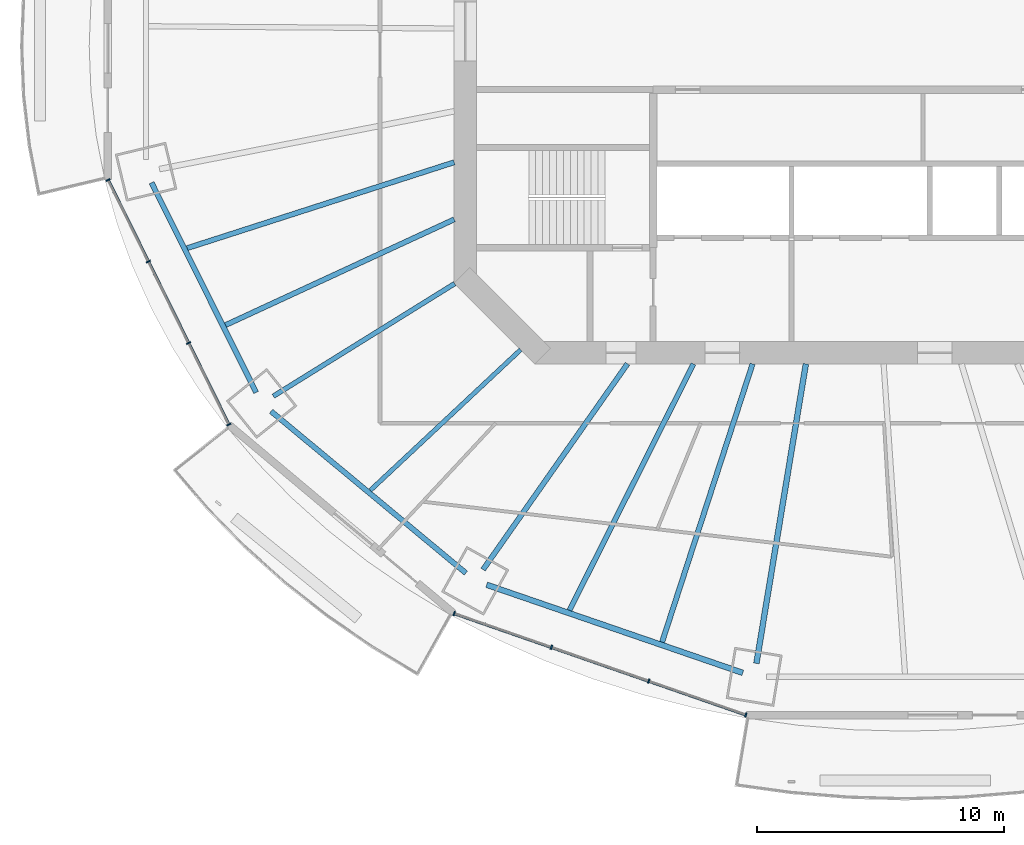
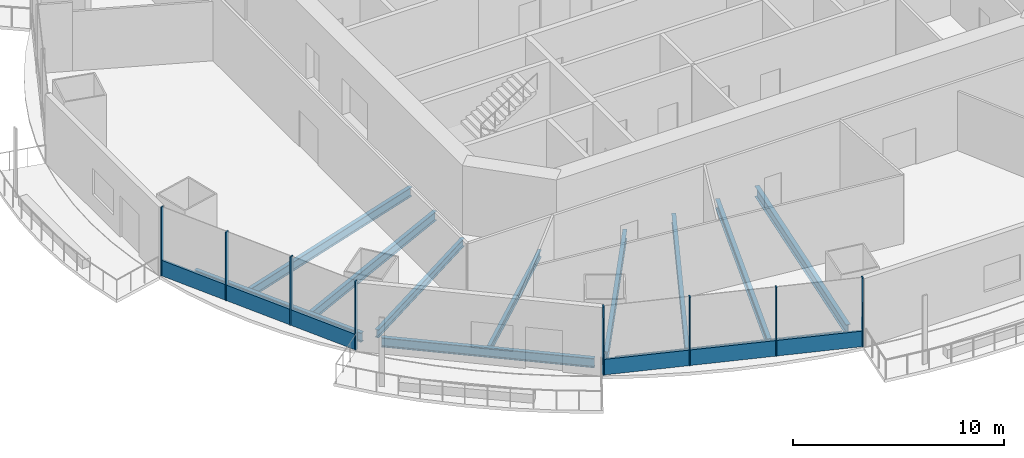
# One storey, part 2 of 21: 11 beams, 10 members, 2 elements without a shape of their own.
"""IFC4 building model written with IfcOpenShell, lengths in metres."""

from ifc_helpers import new_model, si_unit, direction, frame, origin, origin_2d, place, context, subcontext, project, spatial, rectangle, i_section, extrude, material, material_profile, profile_set, type_object, element, aggregate, save


model = new_model("IFC4")

# Units and contexts
model_context = context("Model", 3, precision=1e-05, world=origin(), true_north=direction((0.0, 1.0)))
body_context = subcontext(model_context, "Body", "Model", "MODEL_VIEW")
ifc_project = project(units=[si_unit("LENGTHUNIT", "METRE"), si_unit("AREAUNIT", "SQUARE_METRE"), si_unit("VOLUMEUNIT", "CUBIC_METRE"), si_unit("PLANEANGLEUNIT", "RADIAN"), si_unit("MASSUNIT", "GRAM", prefix="KILO")], contexts=[model_context])

# Site, building, storey
site_placement = place(None, origin())
site = spatial("IfcSite", under=ifc_project, at=site_placement, CompositionType="ELEMENT")
building_placement = place(site_placement, origin())
building = spatial("IfcBuilding", under=site, at=building_placement, Name="Marenthal Gate Tower", CompositionType="ELEMENT")
storey_placement = place(building_placement, frame((0.0, 0.0, 161.050048828125)))
storey = spatial("IfcBuildingStorey", under=building, at=storey_placement, Name="L34", CompositionType="ELEMENT", Elevation=161.050048828125)

# Curtain wall, members
ifc_material_1 = material(Name="Aluminium and glass", Category="aluminium")
curtain_wall_type = type_object("IfcCurtainWallType", Name="Curtain wall typical mid", PredefinedType="NOTDEFINED", material=ifc_material_1)
curtain_wall_1_placement = place(storey_placement, origin())
curtain_wall_1 = element("IfcCurtainWall", 1, at=curtain_wall_1_placement, inside=storey, type_object=curtain_wall_type, Name="Curtain wall L34 bay 9", PredefinedType="NOTDEFINED")
ifc_material_2 = material(Name="Aluminium", Category="aluminium")
ifc_material_profile_1 = material_profile(ifc_material_2, rectangle(XDim=0.179931640625, YDim=0.06005859375, at=origin_2d()), Name="60x180 aluminium mullion")
ifc_profile_set_1 = profile_set([ifc_material_profile_1], Name="Aluminium")
member_type_1 = type_object("IfcMemberType", Name="Mullion 60x180 typical mid", PredefinedType="MULLION", material=ifc_profile_set_1)
member_1_placement = place(storey_placement, frame((-30.45361328125, -6.009765625, 0.0), z_axis=(0.0, 0.0, 1.0), x_axis=(0.896608747182, 0.442823615536, 0.0)))
member_1 = element("IfcMember", 2, at=member_1_placement, type_object=member_type_1, Name="Mullion L34 bay 9.1", PredefinedType="MULLION", context=body_context, shape_type="SweptSolid", body=[
    extrude(rectangle(XDim=0.179931640625, YDim=0.06005859375, at=origin_2d()), origin(), (0.0, 0.0, 1.0), 3.969970703125),
])
member_2_placement = place(storey_placement, frame((-28.824951171875, -9.307373046875, 0.0), z_axis=(0.0, 0.0, 1.0), x_axis=(0.896608747182, 0.442823615536, 0.0)))
member_2 = element("IfcMember", 3, at=member_2_placement, type_object=member_type_1, Name="Mullion L34 bay 9.2", PredefinedType="MULLION", context=body_context, shape_type="SweptSolid", body=[
    extrude(rectangle(XDim=0.179931640625, YDim=0.06005859375, at=origin_2d()), origin(), (0.0, 0.0, 1.0), 3.969970703125),
])
member_3_placement = place(storey_placement, frame((-27.1962890625, -12.60498046875, 0.0), z_axis=(0.0, 0.0, 1.0), x_axis=(0.896608747182, 0.442823615536, 0.0)))
member_3 = element("IfcMember", 4, at=member_3_placement, type_object=member_type_1, Name="Mullion L34 bay 9.3", PredefinedType="MULLION", context=body_context, shape_type="SweptSolid", body=[
    extrude(rectangle(XDim=0.179931640625, YDim=0.06005859375, at=origin_2d()), origin(), (0.0, 0.0, 1.0), 3.969970703125),
])
member_4_placement = place(storey_placement, frame((-25.56787109375, -15.90234375, 0.0), z_axis=(0.0, 0.0, 1.0), x_axis=(0.896608747182, 0.442823615536, 0.0)))
member_4 = element("IfcMember", 5, at=member_4_placement, type_object=member_type_1, Name="Mullion L34 bay 9.4", PredefinedType="MULLION", context=body_context, shape_type="SweptSolid", body=[
    extrude(rectangle(XDim=0.179931640625, YDim=0.06005859375, at=origin_2d()), origin(), (0.0, 0.0, 1.0), 3.969970703125),
])

curtain_wall_2_placement = place(storey_placement, origin())
curtain_wall_2 = element("IfcCurtainWall", 6, at=curtain_wall_2_placement, inside=storey, type_object=curtain_wall_type, Name="Curtain wall L34 bay 11", PredefinedType="NOTDEFINED")
member_5_placement = place(storey_placement, frame((-16.449462890625, -23.5517578125, 0.0), z_axis=(0.0, 0.0, 1.0), x_axis=(0.328157600538, 0.944622987868, 0.0)))
member_5 = element("IfcMember", 7, at=member_5_placement, type_object=member_type_1, Name="Mullion L34 bay 11.1", PredefinedType="MULLION", context=body_context, shape_type="SweptSolid", body=[
    extrude(rectangle(XDim=0.179931640625, YDim=0.06005859375, at=origin_2d()), origin(), (0.0, 0.0, 1.0), 3.969970703125),
])
member_6_placement = place(storey_placement, frame((-12.51513671875, -24.91845703125, 0.0), z_axis=(0.0, 0.0, 1.0), x_axis=(0.328157600538, 0.944622987868, 0.0)))
member_6 = element("IfcMember", 8, at=member_6_placement, type_object=member_type_1, Name="Mullion L34 bay 11.2", PredefinedType="MULLION", context=body_context, shape_type="SweptSolid", body=[
    extrude(rectangle(XDim=0.179931640625, YDim=0.06005859375, at=origin_2d()), origin(), (0.0, 0.0, 1.0), 3.969970703125),
])
member_7_placement = place(storey_placement, frame((-8.580810546875, -26.28515625, 0.0), z_axis=(0.0, 0.0, 1.0), x_axis=(0.328157600538, 0.944622987868, 0.0)))
member_7 = element("IfcMember", 9, at=member_7_placement, type_object=member_type_1, Name="Mullion L34 bay 11.3", PredefinedType="MULLION", context=body_context, shape_type="SweptSolid", body=[
    extrude(rectangle(XDim=0.179931640625, YDim=0.06005859375, at=origin_2d()), origin(), (0.0, 0.0, 1.0), 3.969970703125),
])
member_8_placement = place(storey_placement, frame((-4.646728515625, -27.65185546875, 0.0), z_axis=(0.0, 0.0, 1.0), x_axis=(0.328157600538, 0.944622987868, 0.0)))
member_8 = element("IfcMember", 10, at=member_8_placement, type_object=member_type_1, Name="Mullion L34 bay 11.4", PredefinedType="MULLION", context=body_context, shape_type="SweptSolid", body=[
    extrude(rectangle(XDim=0.179931640625, YDim=0.06005859375, at=origin_2d()), origin(), (0.0, 0.0, 1.0), 3.969970703125),
])

# Member
ifc_material_3 = material(Name="Aluminium", Category="aluminium")
ifc_material_profile_2 = material_profile(ifc_material_3, rectangle(XDim=0.1201171875, YDim=0.89990234375, at=origin_2d()), Name="120x900 aluminium transom")
ifc_profile_set_2 = profile_set([ifc_material_profile_2], Name="Aluminium")
member_type_2 = type_object("IfcMemberType", Name="Transom 120x900 typical mid", PredefinedType="USERDEFINED", material=ifc_profile_set_2)
member_9_placement = place(storey_placement, frame((-30.4404296875, -6.03662109375, 0.449951171875), z_axis=(0.442829775425, -0.896605704865, 0.0), x_axis=(0.896605704865, 0.442829775425, 0.0)))
member_9 = element("IfcMember", 11, at=member_9_placement, type_object=member_type_2, Name="Transom L34 bay 9", ObjectType="TRANSOM", PredefinedType="USERDEFINED", context=body_context, shape_type="SweptSolid", body=[
    extrude(rectangle(XDim=0.1201171875, YDim=0.89990234375, at=origin_2d()), origin(), (0.0, 0.0, 1.0), 10.973388671875),
])

aggregate(curtain_wall_1, [member_1, member_2, member_3, member_4, member_9])

member_10_placement = place(storey_placement, frame((-16.421142578125, -23.5615234375, 0.449951171875), z_axis=(0.944622278222, -0.328159643295, 0.0), x_axis=(0.328159643295, 0.944622278222, 0.0)))
member_10 = element("IfcMember", 12, at=member_10_placement, type_object=member_type_2, Name="Transom L34 bay 11", ObjectType="TRANSOM", PredefinedType="USERDEFINED", context=body_context, shape_type="SweptSolid", body=[
    extrude(rectangle(XDim=0.1201171875, YDim=0.89990234375, at=origin_2d()), origin(), (0.0, 0.0, 1.0), 12.434814453125),
])

aggregate(curtain_wall_2, [member_5, member_6, member_7, member_8, member_10])

# Beams
ifc_material_4 = material(Name="Steel S355", Category="steel")
ifc_material_profile_3 = material_profile(ifc_material_4, i_section(OverallWidth=0.180908203125, OverallDepth=0.4169921875, WebThickness=0.010986328125, FlangeThickness=0.018310546875, FilletRadius=0.01025390625, at=origin_2d()), Name="W410X85")
ifc_profile_set_3 = profile_set([ifc_material_profile_3], Name="Steel S355")
beam_type_1 = type_object("IfcBeamType", Name="W410X85 beam", PredefinedType="BEAM", material=ifc_profile_set_3)
beam_1_placement = place(storey_placement, frame((-19.84228515625, -18.56689453125, -0.388427734375), z_axis=(0.730181308965, 0.683253434706, 0.0), x_axis=(-0.683253434706, 0.730181308965, 0.0)))
element("IfcBeam", 13, at=beam_1_placement, inside=storey, type_object=beam_type_1, Name="BM-L34-31", PredefinedType="BEAM", context=body_context, shape_type="SweptSolid", body=[
    extrude(i_section(OverallWidth=0.180908203125, OverallDepth=0.4169921875, WebThickness=0.010986328125, FlangeThickness=0.018310546875, FilletRadius=0.01025390625, at=origin_2d()), origin(), (0.0, 0.0, 1.0), 8.3291015625),
])
ifc_material_5 = material(Name="Steel S355", Category="steel")
ifc_material_profile_4 = material_profile(ifc_material_5, i_section(OverallWidth=0.193115234375, OverallDepth=0.467041015625, WebThickness=0.011474609375, FlangeThickness=0.01904296875, FilletRadius=0.010009765625, at=origin_2d()), Name="W460X97")
ifc_profile_set_4 = profile_set([ifc_material_profile_4], Name="Steel S355")
beam_type_2 = type_object("IfcBeamType", Name="W460X97 beam", PredefinedType="BEAM", material=ifc_profile_set_4)
beam_2_placement = place(storey_placement, frame((-23.766845703125, -14.757080078125, -0.41357421875), z_axis=(0.849570681467, 0.527474792944, 0.0), x_axis=(-0.527474792944, 0.849570681467, 0.0)))
element("IfcBeam", 14, at=beam_2_placement, inside=storey, type_object=beam_type_2, Name="BM-L34-10", PredefinedType="BEAM", context=body_context, shape_type="SweptSolid", body=[
    extrude(i_section(OverallWidth=0.193115234375, OverallDepth=0.467041015625, WebThickness=0.011474609375, FlangeThickness=0.01904296875, FilletRadius=0.010009765625, at=origin_2d()), origin(), (0.0, 0.0, 1.0), 8.632568359375),
])
ifc_material_6 = material(Name="Steel S355", Category="steel")
ifc_material_profile_5 = material_profile(ifc_material_6, i_section(OverallWidth=0.2099609375, OverallDepth=0.535888671875, WebThickness=0.010986328125, FlangeThickness=0.017333984375, FilletRadius=0.0126953125, at=origin_2d()), Name="W530X101")
ifc_profile_set_5 = profile_set([ifc_material_profile_5], Name="Steel S355")
beam_type_3 = type_object("IfcBeamType", Name="W530X101 beam", PredefinedType="BEAM", material=ifc_profile_set_5)
beam_3_placement = place(storey_placement, frame((-27.25634765625, -8.767578125, -0.447998046875), z_axis=(0.951962078631, 0.306215938268, 0.0), x_axis=(-0.306215938268, 0.951962078631, 0.0)))
element("IfcBeam", 15, at=beam_3_placement, inside=storey, type_object=beam_type_3, Name="BM-L34-29", PredefinedType="BEAM", context=body_context, shape_type="SweptSolid", body=[
    extrude(i_section(OverallWidth=0.2099609375, OverallDepth=0.535888671875, WebThickness=0.010986328125, FlangeThickness=0.017333984375, FilletRadius=0.0126953125, at=origin_2d()), origin(), (0.0, 0.0, 1.0), 11.351806640625),
])
beam_4_placement = place(storey_placement, frame((-25.703369140625, -11.88134765625, -0.447998046875), z_axis=(0.907715301271, 0.419586620185, 0.0), x_axis=(-0.419586620185, 0.907715301271, 0.0)))
element("IfcBeam", 16, at=beam_4_placement, inside=storey, type_object=beam_type_3, Name="BM-L34-30", PredefinedType="BEAM", context=body_context, shape_type="SweptSolid", body=[
    extrude(i_section(OverallWidth=0.2099609375, OverallDepth=0.535888671875, WebThickness=0.010986328125, FlangeThickness=0.017333984375, FilletRadius=0.0126953125, at=origin_2d()), origin(), (0.0, 0.0, 1.0), 10.194091796875),
])
beam_5_placement = place(storey_placement, frame((-11.78466796875, -23.419677734375, -0.447998046875), z_axis=(0.449487147082, 0.893286798631, 0.0), x_axis=(-0.893286798631, 0.449487147082, 0.0)))
element("IfcBeam", 17, at=beam_5_placement, inside=storey, type_object=beam_type_3, Name="BM-L34-32", PredefinedType="BEAM", context=body_context, shape_type="SweptSolid", body=[
    extrude(i_section(OverallWidth=0.2099609375, OverallDepth=0.535888671875, WebThickness=0.010986328125, FlangeThickness=0.017333984375, FilletRadius=0.0126953125, at=origin_2d()), origin(), (0.0, 0.0, 1.0), 11.16064453125),
])
ifc_material_7 = material(Name="Steel S355", Category="steel")
ifc_material_profile_6 = material_profile(ifc_material_7, i_section(OverallWidth=0.2119140625, OverallDepth=0.5439453125, WebThickness=0.01318359375, FlangeThickness=0.021240234375, FilletRadius=0.0126953125, at=origin_2d()), Name="W530X123")
ifc_profile_set_6 = profile_set([ifc_material_profile_6], Name="Steel S355")
beam_type_4 = type_object("IfcBeamType", Name="W530X123 beam", PredefinedType="BEAM", material=ifc_profile_set_6)
beam_6_placement = place(storey_placement, frame((-15.280517578125, -21.773193359375, -0.4521484375), z_axis=(0.574454536537, 0.818536489994, 0.0), x_axis=(-0.818536489994, 0.574454536537, 0.0)))
element("IfcBeam", 18, at=beam_6_placement, inside=storey, type_object=beam_type_4, Name="BM-L34-11", PredefinedType="BEAM", context=body_context, shape_type="SweptSolid", body=[
    extrude(i_section(OverallWidth=0.2119140625, OverallDepth=0.5439453125, WebThickness=0.01318359375, FlangeThickness=0.021240234375, FilletRadius=0.0126953125, at=origin_2d()), origin(), (0.0, 0.0, 1.0), 10.16845703125),
])
beam_7_placement = place(storey_placement, frame((-8.037841796875, -24.70849609375, -0.4521484375), z_axis=(0.309340184781, 0.950951444649, 0.0), x_axis=(-0.950951444649, 0.309340184781, 0.0)))
element("IfcBeam", 19, at=beam_7_placement, inside=storey, type_object=beam_type_4, Name="BM-L34-33", PredefinedType="BEAM", context=body_context, shape_type="SweptSolid", body=[
    extrude(i_section(OverallWidth=0.2119140625, OverallDepth=0.5439453125, WebThickness=0.01318359375, FlangeThickness=0.021240234375, FilletRadius=0.0126953125, at=origin_2d()), origin(), (0.0, 0.0, 1.0), 11.83935546875),
])
beam_8_placement = place(storey_placement, frame((-28.693603515625, -6.122802734375, -0.4521484375), z_axis=(0.446296506962, -0.894885147868, 0.0), x_axis=(0.894885147868, 0.446296506962, 0.0)))
element("IfcBeam", 20, at=beam_8_placement, inside=storey, type_object=beam_type_4, Name="BM-L34-49", PredefinedType="BEAM", context=body_context, shape_type="SweptSolid", body=[
    extrude(i_section(OverallWidth=0.2119140625, OverallDepth=0.5439453125, WebThickness=0.01318359375, FlangeThickness=0.021240234375, FilletRadius=0.0126953125, at=origin_2d()), origin(), (0.0, 0.0, 1.0), 9.4794921875),
])
beam_9_placement = place(storey_placement, frame((-23.860107421875, -15.36767578125, -0.4521484375), z_axis=(0.769269111774, -0.638924904563, 0.0), x_axis=(0.638924904563, 0.769269111774, 0.0)))
element("IfcBeam", 21, at=beam_9_placement, inside=storey, type_object=beam_type_4, Name="BM-L34-50", PredefinedType="BEAM", context=body_context, shape_type="SweptSolid", body=[
    extrude(i_section(OverallWidth=0.2119140625, OverallDepth=0.5439453125, WebThickness=0.01318359375, FlangeThickness=0.021240234375, FilletRadius=0.0126953125, at=origin_2d()), origin(), (0.0, 0.0, 1.0), 10.24560546875),
])
ifc_material_8 = material(Name="Steel S355", Category="steel")
ifc_material_profile_7 = material_profile(ifc_material_8, i_section(OverallWidth=0.22900390625, OverallDepth=0.612060546875, WebThickness=0.011962890625, FlangeThickness=0.01953125, FilletRadius=0.0126953125, at=origin_2d()), Name="W610X125")
ifc_profile_set_7 = profile_set([ifc_material_profile_7], Name="Steel S355")
beam_type_5 = type_object("IfcBeamType", Name="W610X125 beam", PredefinedType="BEAM", material=ifc_profile_set_7)
beam_10_placement = place(storey_placement, frame((-4.220458984375, -25.569580078125, -0.486083984375), z_axis=(0.162858182695, 0.98664948808, 0.0), x_axis=(-0.98664948808, 0.162858182695, 0.0)))
element("IfcBeam", 22, at=beam_10_placement, inside=storey, type_object=beam_type_5, Name="BM-L34-12", PredefinedType="BEAM", context=body_context, shape_type="SweptSolid", body=[
    extrude(i_section(OverallWidth=0.22900390625, OverallDepth=0.612060546875, WebThickness=0.011962890625, FlangeThickness=0.01953125, FilletRadius=0.0126953125, at=origin_2d()), origin(), (0.0, 0.0, 1.0), 12.28369140625),
])
beam_11_placement = place(storey_placement, frame((-15.136474609375, -22.3876953125, -0.486083984375), z_axis=(0.945610391529, -0.32530137939, 0.0), x_axis=(0.32530137939, 0.945610391529, 0.0)))
element("IfcBeam", 23, at=beam_11_placement, inside=storey, type_object=beam_type_5, Name="BM-L34-51", PredefinedType="BEAM", context=body_context, shape_type="SweptSolid", body=[
    extrude(i_section(OverallWidth=0.22900390625, OverallDepth=0.612060546875, WebThickness=0.011962890625, FlangeThickness=0.01953125, FilletRadius=0.0126953125, at=origin_2d()), origin(), (0.0, 0.0, 1.0), 10.96044921875),
])

save(model, "model.ifc")
